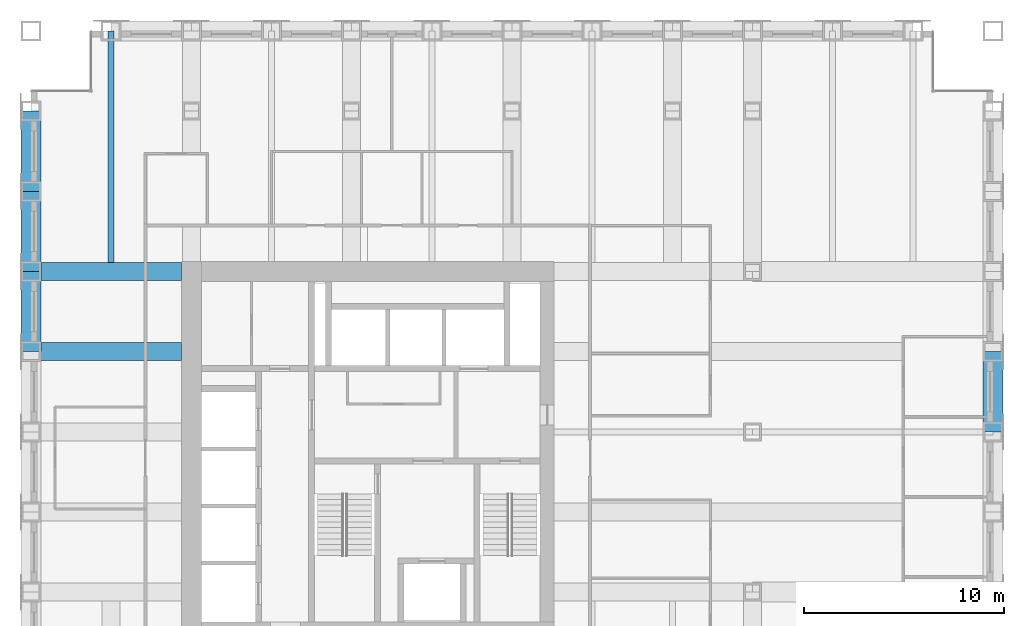
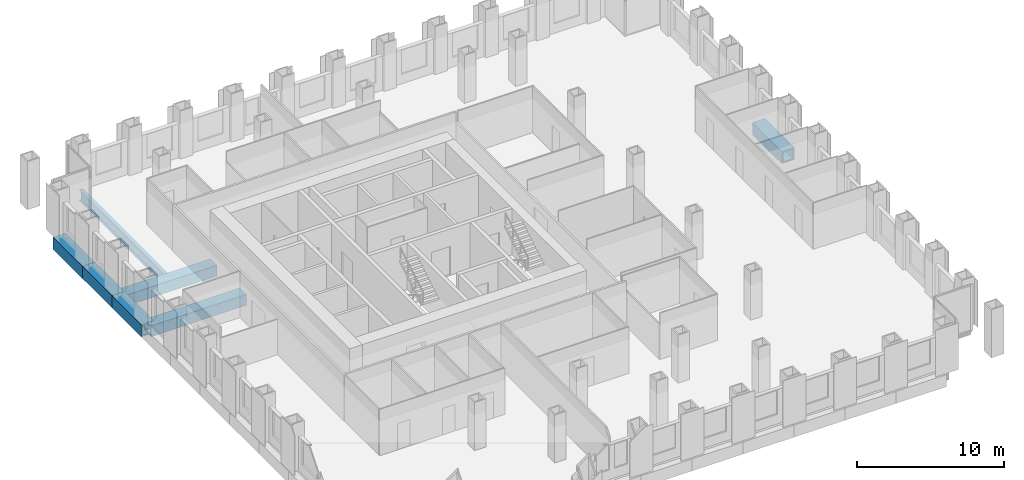
# One storey, part 5 of 16: 7 beams.
"""IFC4 building model written with IfcOpenShell, lengths in metres."""

from ifc_helpers import new_model, si_unit, direction, frame, origin, origin_2d, place, context, subcontext, project, spatial, hollow_rectangle, i_section, extrude, material, material_profile, profile_set, type_object, element, save


model = new_model("IFC4")

# Units and contexts
model_context = context("Model", 3, precision=1e-05, world=origin(), true_north=direction((0.0, 1.0)))
body_context = subcontext(model_context, "Body", "Model", "MODEL_VIEW")
ifc_project = project(units=[si_unit("LENGTHUNIT", "METRE"), si_unit("AREAUNIT", "SQUARE_METRE"), si_unit("VOLUMEUNIT", "CUBIC_METRE"), si_unit("PLANEANGLEUNIT", "RADIAN"), si_unit("MASSUNIT", "GRAM", prefix="KILO")], contexts=[model_context])

# Site, building, storey
site_placement = place(None, origin())
site = spatial("IfcSite", under=ifc_project, at=site_placement, CompositionType="ELEMENT")
building_placement = place(site_placement, origin())
building = spatial("IfcBuilding", under=site, at=building_placement, Name="Rimbunsela Tower", CompositionType="ELEMENT")
storey_placement = place(building_placement, frame((0.0, 0.0, 85.39990234375)))
storey = spatial("IfcBuildingStorey", under=building, at=storey_placement, Name="L20", CompositionType="ELEMENT", Elevation=85.39990234375)

# Beams
ifc_material_1 = material(Name="Steel BJ 55 (fy 410 MPa)", Category="steel")
ifc_material_profile_1 = material_profile(ifc_material_1, hollow_rectangle(XDim=1.0, YDim=1.0, WallThickness=0.10009765625, at=origin_2d()), Name="BOX 1000x1000x100")
ifc_profile_set_1 = profile_set([ifc_material_profile_1], Name="Steel BJ 55 (fy 410 MPa)")
beam_type_1 = type_object("IfcBeamType", Name="Beam BOX 1000x1000x100", PredefinedType="BEAM", material=ifc_profile_set_1)
for number, where, z_axis, x_axis, name in (
    (1, (10.0, 32.0, -0.64990234375), (0.0, 1.0, 0.0), (-1.0, 0.0, 0.0), "Beam B3 L20"),
    (2, (10.0, 36.0, -0.64990234375), (0.0, 1.0, 0.0), (-1.0, 0.0, 0.0), "Beam B3 L20"),
    (3, (10.0, 40.0, -0.64990234375), (0.0, 1.0, 0.0), (-1.0, 0.0, 0.0), "Beam B3 L20"),
    (4, (58.0, 28.0, -0.64990234375), (0.0, 1.0, 0.0), (-1.0, 0.0, 0.0), "Beam B3 L20"),
):
    element("IfcBeam", number, at=place(storey_placement, frame(where, z_axis=z_axis, x_axis=x_axis)), inside=storey, type_object=beam_type_1, Name=name, PredefinedType="BEAM", context=body_context, shape_type="SweptSolid", body=[
        extrude(hollow_rectangle(XDim=1.0, YDim=1.0, WallThickness=0.10009765625, at=origin_2d()), origin(), (0.0, 0.0, 1.0), 4.0),
    ])
ifc_material_2 = material(Name="Steel BJ 55 (fy 410 MPa)", Category="steel")
ifc_material_profile_2 = material_profile(ifc_material_2, hollow_rectangle(XDim=0.89990234375, YDim=0.89990234375, WallThickness=0.06005859375, at=origin_2d()), Name="BOX 900x900x60")
ifc_profile_set_2 = profile_set([ifc_material_profile_2], Name="Steel BJ 55 (fy 410 MPa)")
beam_type_2 = type_object("IfcBeamType", Name="Beam BOX 900x900x60", PredefinedType="BEAM", material=ifc_profile_set_2)
for number, where, z_axis, x_axis, name in (
    (5, (10.0, 32.0, -0.599853515625), (1.0, 0.0, 0.0), (0.0, 1.0, 0.0), "Beam B1 L20"),
    (6, (10.0, 36.0, -0.599853515625), (1.0, 0.0, 0.0), (0.0, 1.0, 0.0), "Beam B1 L20"),
):
    element("IfcBeam", number, at=place(storey_placement, frame(where, z_axis=z_axis, x_axis=x_axis)), inside=storey, type_object=beam_type_2, Name=name, PredefinedType="BEAM", context=body_context, shape_type="SweptSolid", body=[
        extrude(hollow_rectangle(XDim=0.89990234375, YDim=0.89990234375, WallThickness=0.06005859375, at=origin_2d()), origin(), (0.0, 0.0, 1.0), 7.5),
    ])
ifc_material_3 = material(Name="Steel BJ 55 (fy 410 MPa)", Category="steel")
ifc_material_profile_3 = material_profile(ifc_material_3, i_section(OverallWidth=0.300048828125, OverallDepth=0.89990234375, WebThickness=0.01611328125, FlangeThickness=0.028076171875, FilletRadius=0.028076171875, at=origin_2d()), Name="H 900x300x16x28")
ifc_profile_set_3 = profile_set([ifc_material_profile_3], Name="Steel BJ 55 (fy 410 MPa)")
beam_type_3 = type_object("IfcBeamType", Name="Beam H 900x300x16x28", PredefinedType="BEAM", material=ifc_profile_set_3)
beam_placement = place(storey_placement, frame((14.0, 36.449951171875, -0.599853515625), z_axis=(0.0, 1.0, 0.0), x_axis=(-1.0, 0.0, 0.0)))
element("IfcBeam", 7, at=beam_placement, inside=storey, type_object=beam_type_3, Name="Beam B2 L20", PredefinedType="BEAM", context=body_context, shape_type="SweptSolid", body=[
    extrude(i_section(OverallWidth=0.300048828125, OverallDepth=0.89990234375, WebThickness=0.01611328125, FlangeThickness=0.028076171875, FilletRadius=0.028076171875, at=origin_2d()), origin(), (0.0, 0.0, 1.0), 11.550048828125),
])

save(model, "model.ifc")
